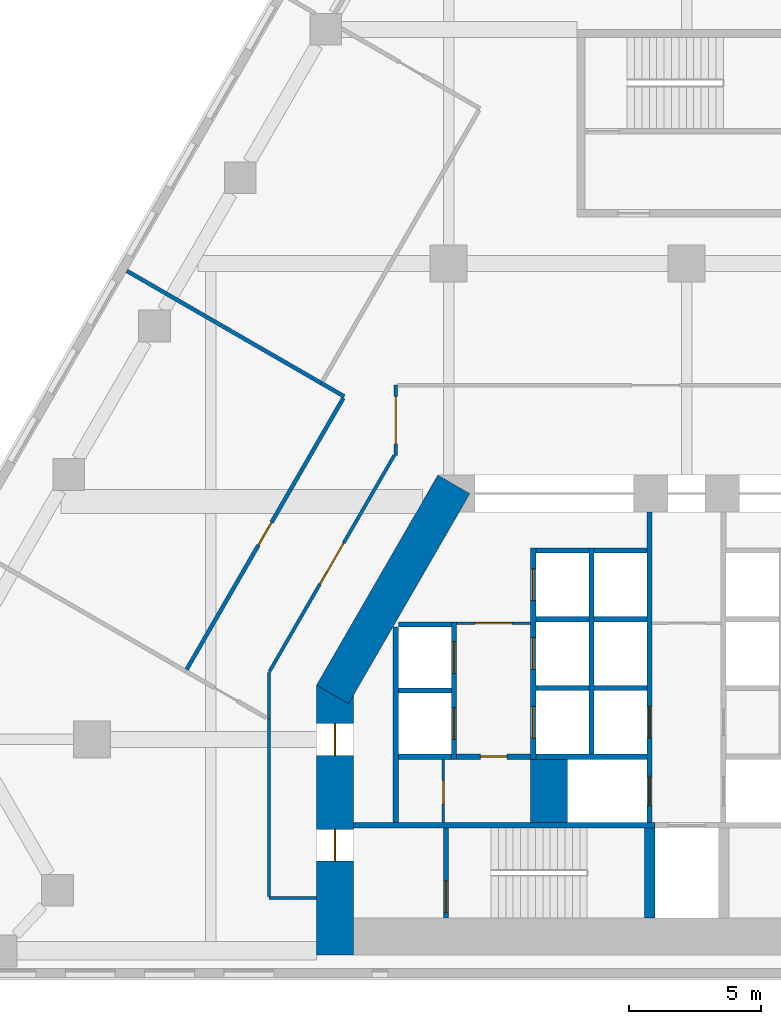
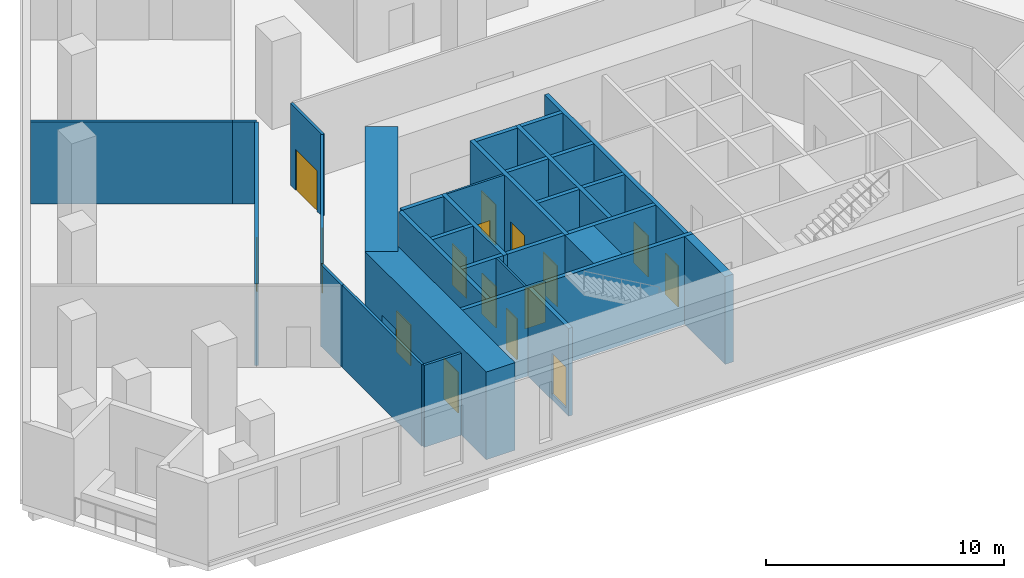
# One storey, part 4 of 14: 32 walls, 16 doors, 16 openings.
"""IFC4 building model written with IfcOpenShell, lengths in metres."""

from ifc_helpers import new_model, si_unit, direction, frame, frame_2d, origin, place, context, subcontext, project, spatial, rectangle, extrude, material, layer, layer_set, type_object, element, fill, save


model = new_model("IFC4")

# Units and contexts
model_context = context("Model", 3, precision=1e-05, world=origin(), true_north=direction((0.0, 1.0)))
body_context = subcontext(model_context, "Body", "Model", "MODEL_VIEW")
ifc_project = project(units=[si_unit("LENGTHUNIT", "METRE"), si_unit("AREAUNIT", "SQUARE_METRE"), si_unit("VOLUMEUNIT", "CUBIC_METRE"), si_unit("PLANEANGLEUNIT", "RADIAN"), si_unit("MASSUNIT", "GRAM", prefix="KILO")], contexts=[model_context])

# Site, building, storey
site_placement = place(None, origin())
site = spatial("IfcSite", under=ifc_project, at=site_placement, CompositionType="ELEMENT")
building_placement = place(site_placement, origin())
building = spatial("IfcBuilding", under=site, at=building_placement, Name="Fogline Exchange Tower", CompositionType="ELEMENT")
storey_placement = place(building_placement, frame((0.0, 0.0, 29.5)))
storey = spatial("IfcBuildingStorey", under=building, at=storey_placement, Name="L05", CompositionType="ELEMENT", Elevation=29.5)

# Wall, opening, door
ifc_material_1 = material(Name="Blockwork partition", Category="masonry")
ifc_layer_1 = layer(ifc_material_1, 0.10009765625)
ifc_layer_set_1 = layer_set([ifc_layer_1], Name="CW10")
wall_type_1 = type_object("IfcWallType", Name="CW10", PredefinedType="PARTITIONING", material=ifc_layer_set_1)
wall_1_placement = place(storey_placement, frame((-8.699951171875, 13.39990234375, 0.0), z_axis=(0.0, 0.0, 1.0), x_axis=(1.0, 0.0, 0.0)))
wall_1 = element("IfcWall", 1, at=wall_1_placement, inside=storey, type_object=wall_type_1, Name="Lift lobby partition", PredefinedType="PARTITIONING", context=body_context, shape_type="SweptSolid", body=[
    extrude(rectangle(XDim=2.800048828125, YDim=0.10009765625, at=frame_2d((1.39990234375, 0.0))), origin(), (0.0, 0.0, 1.0), 4.199951171875),
])
opening_1_placement = place(wall_1_placement, frame((0.699951171875, 0.0, 0.0)))
opening_1 = element("IfcOpeningElement", 2, at=opening_1_placement, cuts=wall_1, Name="Opening T01-C007", PredefinedType="OPENING", context=body_context, shape_type="SweptSolid", body=[
    extrude(rectangle(XDim=1.39990234375, YDim=2.10009765625, at=frame_2d((0.699951171875, 1.050048828125))), frame((0.0, 0.06005859375, 0.0), z_axis=(0.0, -1.0, 0.0), x_axis=(1.0, 0.0, 0.0)), (0.0, 0.0, 1.0), 0.1201171875),
])
ifc_material_2 = material(Name="Steel and timber fire door", Category="steel")
door_type_1 = type_object("IfcDoorType", Name="D-LB1", OperationType="DOUBLE_DOOR_SINGLE_SWING", PredefinedType="DOOR", material=ifc_material_2)
door_1_placement = place(opening_1_placement, frame((1.39990234375, 0.0, 0.0), z_axis=(0.0, 0.0, 1.0), x_axis=(-1.0, 0.0, 0.0)))
door_1 = element("IfcDoor", 3, at=door_1_placement, inside=storey, type_object=door_type_1, Name="Door to lift lobby", OperationType="DOUBLE_DOOR_SINGLE_SWING", OverallHeight=2.10009765625, OverallWidth=1.39990234375, PredefinedType="DOOR", context=body_context, shape_type="SweptSolid", body=[
    extrude(rectangle(XDim=1.39990234375, YDim=2.10009765625, at=frame_2d((0.699951171875, 1.050048828125))), frame((0.0, 0.02490234375, 0.0), z_axis=(0.0, -1.0, 0.0), x_axis=(1.0, 0.0, 0.0)), (0.0, 0.0, 1.0), 0.050048828125),
])
fill(opening_1, door_1)

wall_2_placement = place(storey_placement, frame((-9.199951171875, 5.85009765625, 0.0), z_axis=(0.0, 0.0, 1.0), x_axis=(0.0, 1.0, 0.0)))
wall_2 = element("IfcWall", 4, at=wall_2_placement, inside=storey, type_object=wall_type_1, Name="WC partition", PredefinedType="PARTITIONING", context=body_context, shape_type="SweptSolid", body=[
    extrude(rectangle(XDim=2.39990234375, YDim=0.10009765625, at=frame_2d((1.199951171875, 0.0))), origin(), (0.0, 0.0, 1.0), 4.199951171875),
])
opening_2_placement = place(wall_2_placement, frame((0.699951171875, 0.0, 0.0)))
opening_2 = element("IfcOpeningElement", 5, at=opening_2_placement, cuts=wall_2, Name="Opening T01-C009", PredefinedType="OPENING", context=body_context, shape_type="SweptSolid", body=[
    extrude(rectangle(XDim=0.89990234375, YDim=2.10009765625, at=frame_2d((0.449951171875, 1.050048828125))), frame((0.0, 0.06005859375, 0.0), z_axis=(0.0, -1.0, 0.0), x_axis=(1.0, 0.0, 0.0)), (0.0, 0.0, 1.0), 0.1201171875),
])
door_type_2 = type_object("IfcDoorType", Name="D-CS1", OperationType="SINGLE_SWING_RIGHT", PredefinedType="DOOR", material=ifc_material_2)
door_2_placement = place(opening_2_placement, origin())
door_2 = element("IfcDoor", 6, at=door_2_placement, inside=storey, type_object=door_type_2, Name="Door to Cleaner's Store", OperationType="SINGLE_SWING_LEFT", OverallHeight=2.10009765625, OverallWidth=0.89990234375, PredefinedType="DOOR", context=body_context, shape_type="SweptSolid", body=[
    extrude(rectangle(XDim=0.89990234375, YDim=2.10009765625, at=frame_2d((0.449951171875, 1.050048828125))), frame((0.0, 0.02490234375, 0.0), z_axis=(0.0, -1.0, 0.0), x_axis=(1.0, 0.0, 0.0)), (0.0, 0.0, 1.0), 0.050048828125),
])
fill(opening_2, door_2)

# Walls
ifc_material_3 = material(Name="Concrete C60", Category="concrete")
ifc_layer_2 = layer(ifc_material_3, 1.39990234375)
ifc_layer_set_2 = layer_set([ifc_layer_2], Name="CW140")
wall_type_2 = type_object("IfcWallType", Name="CW140", PredefinedType="SOLIDWALL", material=ifc_layer_set_2)
wall_3_placement = place(storey_placement, frame((-5.199951171875, 5.85009765625, -0.300048828125), z_axis=(0.0, 0.0, 1.0), x_axis=(0.0, 1.0, 0.0)))
element("IfcWall", 7, at=wall_3_placement, inside=storey, type_object=wall_type_2, Name="Lift shaft block wall", PredefinedType="SOLIDWALL", context=body_context, shape_type="SweptSolid", body=[
    extrude(rectangle(XDim=2.39990234375, YDim=1.39990234375, at=frame_2d((1.199951171875, 0.0))), origin(), (0.0, 0.0, 1.0), 4.5),
])
ifc_material_4 = material(Name="Concrete C40", Category="concrete")
ifc_layer_3 = layer(ifc_material_4, 0.199951171875)
ifc_layer_set_3 = layer_set([ifc_layer_3], Name="CW20")
wall_type_3 = type_object("IfcWallType", Name="CW20", PredefinedType="SOLIDWALL", material=ifc_layer_set_3)
wall_4_placement = place(storey_placement, frame((-11.0, 5.85009765625, 0.0), z_axis=(0.0, 0.0, 1.0), x_axis=(0.0, 1.0, 0.0)))
element("IfcWall", 8, at=wall_4_placement, inside=storey, type_object=wall_type_3, Name="Service room wall", PredefinedType="SOLIDWALL", context=body_context, shape_type="SweptSolid", body=[
    extrude(rectangle(XDim=7.39990234375, YDim=0.199951171875, at=frame_2d((3.699951171875, 0.0))), origin(), (0.0, 0.0, 1.0), 4.199951171875),
])

# Wall, opening, door
wall_5_placement = place(storey_placement, frame((-8.699951171875, 8.35009765625, 0.0), z_axis=(0.0, 0.0, 1.0), x_axis=(1.0, 0.0, 0.0)))
wall_5 = element("IfcWall", 9, at=wall_5_placement, inside=storey, type_object=wall_type_3, Name="WC wall", PredefinedType="SOLIDWALL", context=body_context, shape_type="SweptSolid", body=[
    extrude(rectangle(XDim=2.800048828125, YDim=0.199951171875, at=frame_2d((1.39990234375, 0.0))), origin(), (0.0, 0.0, 1.0), 4.199951171875),
])
opening_3_placement = place(wall_5_placement, frame((0.89990234375, 0.0, 0.0)))
opening_3 = element("IfcOpeningElement", 10, at=opening_3_placement, cuts=wall_5, Name="Opening T01-C008", PredefinedType="OPENING", context=body_context, shape_type="SweptSolid", body=[
    extrude(rectangle(XDim=1.0, YDim=2.10009765625, at=frame_2d((0.5, 1.050048828125))), frame((0.0, 0.10986328125, 0.0), z_axis=(0.0, -1.0, 0.0), x_axis=(1.0, 0.0, 0.0)), (0.0, 0.0, 1.0), 0.219970703125),
])
door_type_3 = type_object("IfcDoorType", Name="D-WC1", OperationType="SINGLE_SWING_LEFT", PredefinedType="DOOR", material=ifc_material_2)
door_3_placement = place(opening_3_placement, frame((1.0, 0.0, 0.0), z_axis=(0.0, 0.0, 1.0), x_axis=(-1.0, 0.0, 0.0)))
door_3 = element("IfcDoor", 11, at=door_3_placement, inside=storey, type_object=door_type_3, Name="Door to Men's WC", OperationType="SINGLE_SWING_LEFT", OverallHeight=2.10009765625, OverallWidth=1.0, PredefinedType="DOOR", context=body_context, shape_type="SweptSolid", body=[
    extrude(rectangle(XDim=1.0, YDim=2.10009765625, at=frame_2d((0.5, 1.050048828125))), frame((0.0, 0.02490234375, 0.0), z_axis=(0.0, -1.0, 0.0), x_axis=(1.0, 0.0, 0.0)), (0.0, 0.0, 1.0), 0.050048828125),
])
fill(opening_3, door_3)

# Wall
ifc_layer_4 = layer(ifc_material_4, 0.199951171875)
ifc_layer_set_4 = layer_set([ifc_layer_4], Name="CW20R")
wall_type_4 = type_object("IfcWallType", Name="CW20R", PredefinedType="SOLIDWALL", material=ifc_layer_set_4)
wall_6_placement = place(storey_placement, frame((-12.60009765625, 5.75, -0.300048828125), z_axis=(0.0, 0.0, 1.0), x_axis=(1.0, 0.0, 0.0)))
element("IfcWall", 12, at=wall_6_placement, inside=storey, type_object=wall_type_4, Name="Stair enclosure wall", PredefinedType="SOLIDWALL", context=body_context, shape_type="SweptSolid", body=[
    extrude(rectangle(XDim=11.400146484375, YDim=0.199951171875, at=frame_2d((5.7001953125, 0.0))), origin(), (0.0, 0.0, 1.0), 4.5),
])

# Wall, opening, door
wall_7_placement = place(storey_placement, frame((-9.10009765625, 2.25, -0.300048828125), z_axis=(0.0, 0.0, 1.0), x_axis=(0.0, 1.0, 0.0)))
wall_7 = element("IfcWall", 13, at=wall_7_placement, inside=storey, type_object=wall_type_4, Name="Stair enclosure wall", PredefinedType="SOLIDWALL", context=body_context, shape_type="SweptSolid", body=[
    extrude(rectangle(XDim=3.39990234375, YDim=0.199951171875, at=frame_2d((1.699951171875, 0.0))), origin(), (0.0, 0.0, 1.0), 4.5),
])
opening_4_placement = place(wall_7_placement, frame((0.199951171875, 0.0, 0.300048828125)))
opening_4 = element("IfcOpeningElement", 14, at=opening_4_placement, cuts=wall_7, Name="Opening T01-C011", PredefinedType="OPENING", context=body_context, shape_type="SweptSolid", body=[
    extrude(rectangle(XDim=1.199951171875, YDim=2.10009765625, at=frame_2d((0.60009765625, 1.050048828125))), frame((0.0, 0.10986328125, 0.0), z_axis=(0.0, -1.0, 0.0), x_axis=(1.0, 0.0, 0.0)), (0.0, 0.0, 1.0), 0.219970703125),
])
door_type_4 = type_object("IfcDoorType", Name="D-ST1", OperationType="SINGLE_SWING_LEFT", PredefinedType="DOOR", material=ifc_material_2)
door_4_placement = place(opening_4_placement, frame((1.199951171875, 0.0, 0.0), z_axis=(0.0, 0.0, 1.0), x_axis=(-1.0, 0.0, 0.0)))
door_4 = element("IfcDoor", 15, at=door_4_placement, inside=storey, type_object=door_type_4, Name="Stair door ST1", OperationType="SINGLE_SWING_RIGHT", OverallHeight=2.10009765625, OverallWidth=1.199951171875, PredefinedType="DOOR", context=body_context, shape_type="SweptSolid", body=[
    extrude(rectangle(XDim=1.199951171875, YDim=2.10009765625, at=frame_2d((0.60009765625, 1.050048828125))), frame((0.0, 0.02490234375, 0.0), z_axis=(0.0, -1.0, 0.0), x_axis=(1.0, 0.0, 0.0)), (0.0, 0.0, 1.0), 0.050048828125),
])
fill(opening_4, door_4)

# Wall, openings, doors
ifc_layer_5 = layer(ifc_material_4, 0.199951171875)
ifc_layer_set_5 = layer_set([ifc_layer_5], Name="CW20S")
wall_type_5 = type_object("IfcWallType", Name="CW20S", PredefinedType="SOLIDWALL", material=ifc_layer_set_5)
wall_8_placement = place(storey_placement, frame((-8.800048828125, 8.25, -0.300048828125), z_axis=(0.0, 0.0, 1.0), x_axis=(0.0, 1.0, 0.0)))
wall_8 = element("IfcWall", 16, at=wall_8_placement, inside=storey, type_object=wall_type_5, Name="Lift shaft wall", PredefinedType="SOLIDWALL", context=body_context, shape_type="SweptSolid", body=[
    extrude(rectangle(XDim=5.199951171875, YDim=0.199951171875, at=frame_2d((2.60009765625, 0.0))), origin(), (0.0, 0.0, 1.0), 4.5),
])
opening_5_placement = place(wall_8_placement, frame((0.75, 0.0, 0.300048828125)))
opening_5 = element("IfcOpeningElement", 17, at=opening_5_placement, cuts=wall_8, Name="Opening T01-LD01", PredefinedType="OPENING", context=body_context, shape_type="SweptSolid", body=[
    extrude(rectangle(XDim=1.199951171875, YDim=2.10009765625, at=frame_2d((0.60009765625, 1.050048828125))), frame((0.0, 0.10986328125, 0.0), z_axis=(0.0, -1.0, 0.0), x_axis=(1.0, 0.0, 0.0)), (0.0, 0.0, 1.0), 0.219970703125),
])
opening_6_placement = place(wall_8_placement, frame((3.25, 0.0, 0.300048828125)))
opening_6 = element("IfcOpeningElement", 18, at=opening_6_placement, cuts=wall_8, Name="Opening T01-LD02", PredefinedType="OPENING", context=body_context, shape_type="SweptSolid", body=[
    extrude(rectangle(XDim=1.199951171875, YDim=2.10009765625, at=frame_2d((0.60009765625, 1.050048828125))), frame((0.0, 0.10986328125, 0.0), z_axis=(0.0, -1.0, 0.0), x_axis=(1.0, 0.0, 0.0)), (0.0, 0.0, 1.0), 0.219970703125),
])
door_type_5 = type_object("IfcDoorType", Name="LD1", OperationType="SLIDING_TO_LEFT", PredefinedType="DOOR", material=ifc_material_2)
door_5_placement = place(opening_5_placement, origin())
door_5 = element("IfcDoor", 19, at=door_5_placement, inside=storey, type_object=door_type_5, Name="Landing door LR1", OperationType="SLIDING_TO_LEFT", OverallHeight=2.10009765625, OverallWidth=1.199951171875, PredefinedType="DOOR", context=body_context, shape_type="SweptSolid", body=[
    extrude(rectangle(XDim=1.199951171875, YDim=2.10009765625, at=frame_2d((0.60009765625, 1.050048828125))), frame((0.0, 0.02490234375, 0.0), z_axis=(0.0, -1.0, 0.0), x_axis=(1.0, 0.0, 0.0)), (0.0, 0.0, 1.0), 0.050048828125),
])
fill(opening_5, door_5)
door_6_placement = place(opening_6_placement, origin())
door_6 = element("IfcDoor", 20, at=door_6_placement, inside=storey, type_object=door_type_5, Name="Landing door LR2", OperationType="SLIDING_TO_LEFT", OverallHeight=2.10009765625, OverallWidth=1.199951171875, PredefinedType="DOOR", context=body_context, shape_type="SweptSolid", body=[
    extrude(rectangle(XDim=1.199951171875, YDim=2.10009765625, at=frame_2d((0.60009765625, 1.050048828125))), frame((0.0, 0.02490234375, 0.0), z_axis=(0.0, -1.0, 0.0), x_axis=(1.0, 0.0, 0.0)), (0.0, 0.0, 1.0), 0.050048828125),
])
fill(opening_6, door_6)

wall_9_placement = place(storey_placement, frame((-5.800048828125, 8.25, -0.300048828125), z_axis=(0.0, 0.0, 1.0), x_axis=(0.0, 1.0, 0.0)))
wall_9 = element("IfcWall", 21, at=wall_9_placement, inside=storey, type_object=wall_type_5, Name="Lift shaft wall", PredefinedType="SOLIDWALL", context=body_context, shape_type="SweptSolid", body=[
    extrude(rectangle(XDim=8.0, YDim=0.199951171875, at=frame_2d((4.0, 0.0))), origin(), (0.0, 0.0, 1.0), 4.5),
])
opening_7_placement = place(wall_9_placement, frame((0.800048828125, 0.0, 0.300048828125)))
opening_7 = element("IfcOpeningElement", 22, at=opening_7_placement, cuts=wall_9, Name="Opening T01-LD03", PredefinedType="OPENING", context=body_context, shape_type="SweptSolid", body=[
    extrude(rectangle(XDim=1.199951171875, YDim=2.10009765625, at=frame_2d((0.60009765625, 1.050048828125))), frame((0.0, 0.10986328125, 0.0), z_axis=(0.0, -1.0, 0.0), x_axis=(1.0, 0.0, 0.0)), (0.0, 0.0, 1.0), 0.219970703125),
])
opening_8_placement = place(wall_9_placement, frame((3.39990234375, 0.0, 0.300048828125)))
opening_8 = element("IfcOpeningElement", 23, at=opening_8_placement, cuts=wall_9, Name="Opening T01-LD04", PredefinedType="OPENING", context=body_context, shape_type="SweptSolid", body=[
    extrude(rectangle(XDim=1.199951171875, YDim=2.10009765625, at=frame_2d((0.60009765625, 1.050048828125))), frame((0.0, 0.10986328125, 0.0), z_axis=(0.0, -1.0, 0.0), x_axis=(1.0, 0.0, 0.0)), (0.0, 0.0, 1.0), 0.219970703125),
])
opening_9_placement = place(wall_9_placement, frame((6.0, 0.0, 0.300048828125)))
opening_9 = element("IfcOpeningElement", 24, at=opening_9_placement, cuts=wall_9, Name="Opening T01-LD05", PredefinedType="OPENING", context=body_context, shape_type="SweptSolid", body=[
    extrude(rectangle(XDim=1.199951171875, YDim=2.10009765625, at=frame_2d((0.60009765625, 1.050048828125))), frame((0.0, 0.10986328125, 0.0), z_axis=(0.0, -1.0, 0.0), x_axis=(1.0, 0.0, 0.0)), (0.0, 0.0, 1.0), 0.219970703125),
])
door_7_placement = place(opening_7_placement, origin())
door_7 = element("IfcDoor", 25, at=door_7_placement, inside=storey, type_object=door_type_5, Name="Landing door LR3", OperationType="SLIDING_TO_LEFT", OverallHeight=2.10009765625, OverallWidth=1.199951171875, PredefinedType="DOOR", context=body_context, shape_type="SweptSolid", body=[
    extrude(rectangle(XDim=1.199951171875, YDim=2.10009765625, at=frame_2d((0.60009765625, 1.050048828125))), frame((0.0, 0.02490234375, 0.0), z_axis=(0.0, -1.0, 0.0), x_axis=(1.0, 0.0, 0.0)), (0.0, 0.0, 1.0), 0.050048828125),
])
fill(opening_7, door_7)
door_8_placement = place(opening_8_placement, origin())
door_8 = element("IfcDoor", 26, at=door_8_placement, inside=storey, type_object=door_type_5, Name="Landing door LR4", OperationType="SLIDING_TO_LEFT", OverallHeight=2.10009765625, OverallWidth=1.199951171875, PredefinedType="DOOR", context=body_context, shape_type="SweptSolid", body=[
    extrude(rectangle(XDim=1.199951171875, YDim=2.10009765625, at=frame_2d((0.60009765625, 1.050048828125))), frame((0.0, 0.02490234375, 0.0), z_axis=(0.0, -1.0, 0.0), x_axis=(1.0, 0.0, 0.0)), (0.0, 0.0, 1.0), 0.050048828125),
])
fill(opening_8, door_8)
door_9_placement = place(opening_9_placement, origin())
door_9 = element("IfcDoor", 27, at=door_9_placement, inside=storey, type_object=door_type_5, Name="Landing door LR5", OperationType="SLIDING_TO_LEFT", OverallHeight=2.10009765625, OverallWidth=1.199951171875, PredefinedType="DOOR", context=body_context, shape_type="SweptSolid", body=[
    extrude(rectangle(XDim=1.199951171875, YDim=2.10009765625, at=frame_2d((0.60009765625, 1.050048828125))), frame((0.0, 0.02490234375, 0.0), z_axis=(0.0, -1.0, 0.0), x_axis=(1.0, 0.0, 0.0)), (0.0, 0.0, 1.0), 0.050048828125),
])
fill(opening_9, door_9)

# Wall
wall_10_placement = place(storey_placement, frame((-3.60009765625, 8.449951171875, -0.300048828125), z_axis=(0.0, 0.0, 1.0), x_axis=(0.0, 1.0, 0.0)))
element("IfcWall", 28, at=wall_10_placement, inside=storey, type_object=wall_type_5, Name="Lift shaft wall", PredefinedType="SOLIDWALL", context=body_context, shape_type="SweptSolid", body=[
    extrude(rectangle(XDim=7.800048828125, YDim=0.199951171875, at=frame_2d((3.89990234375, 0.0))), origin(), (0.0, 0.0, 1.0), 4.5),
])

# Wall, openings, doors
wall_11_placement = place(storey_placement, frame((-1.39990234375, 5.85009765625, -0.300048828125), z_axis=(0.0, 0.0, 1.0), x_axis=(0.0, 1.0, 0.0)))
wall_11 = element("IfcWall", 29, at=wall_11_placement, inside=storey, type_object=wall_type_5, Name="Lift lobby wall", PredefinedType="SOLIDWALL", context=body_context, shape_type="SweptSolid", body=[
    extrude(rectangle(XDim=11.75, YDim=0.199951171875, at=frame_2d((5.875, 0.0))), origin(), (0.0, 0.0, 1.0), 4.5),
])
opening_10_placement = place(wall_11_placement, frame((3.199951171875, 0.0, 0.300048828125)))
opening_10 = element("IfcOpeningElement", 30, at=opening_10_placement, cuts=wall_11, Name="Opening T01-LD06", PredefinedType="OPENING", context=body_context, shape_type="SweptSolid", body=[
    extrude(rectangle(XDim=1.199951171875, YDim=2.10009765625, at=frame_2d((0.60009765625, 1.050048828125))), frame((0.0, 0.10986328125, 0.0), z_axis=(0.0, -1.0, 0.0), x_axis=(1.0, 0.0, 0.0)), (0.0, 0.0, 1.0), 0.219970703125),
])
opening_11_placement = place(wall_11_placement, frame((0.64990234375, 0.0, 0.300048828125)))
opening_11 = element("IfcOpeningElement", 31, at=opening_11_placement, cuts=wall_11, Name="Opening T01-LD07", PredefinedType="OPENING", context=body_context, shape_type="SweptSolid", body=[
    extrude(rectangle(XDim=1.10009765625, YDim=2.10009765625, at=frame_2d((0.550048828125, 1.050048828125))), frame((0.0, 0.10986328125, 0.0), z_axis=(0.0, -1.0, 0.0), x_axis=(1.0, 0.0, 0.0)), (0.0, 0.0, 1.0), 0.219970703125),
])
door_10_placement = place(opening_10_placement, origin())
door_10 = element("IfcDoor", 32, at=door_10_placement, inside=storey, type_object=door_type_5, Name="Landing door LR6", OperationType="SLIDING_TO_LEFT", OverallHeight=2.10009765625, OverallWidth=1.199951171875, PredefinedType="DOOR", context=body_context, shape_type="SweptSolid", body=[
    extrude(rectangle(XDim=1.199951171875, YDim=2.10009765625, at=frame_2d((0.60009765625, 1.050048828125))), frame((0.0, 0.02490234375, 0.0), z_axis=(0.0, -1.0, 0.0), x_axis=(1.0, 0.0, 0.0)), (0.0, 0.0, 1.0), 0.050048828125),
])
fill(opening_10, door_10)
door_type_6 = type_object("IfcDoorType", Name="LD2", OperationType="SLIDING_TO_RIGHT", PredefinedType="DOOR", material=ifc_material_2)
door_11_placement = place(opening_11_placement, origin())
door_11 = element("IfcDoor", 33, at=door_11_placement, inside=storey, type_object=door_type_6, Name="Landing door FF1", OperationType="SLIDING_TO_RIGHT", OverallHeight=2.10009765625, OverallWidth=1.10009765625, PredefinedType="DOOR", context=body_context, shape_type="SweptSolid", body=[
    extrude(rectangle(XDim=1.10009765625, YDim=2.10009765625, at=frame_2d((0.550048828125, 1.050048828125))), frame((0.0, 0.02490234375, 0.0), z_axis=(0.0, -1.0, 0.0), x_axis=(1.0, 0.0, 0.0)), (0.0, 0.0, 1.0), 0.050048828125),
])
fill(opening_11, door_11)

# Walls
wall_12_placement = place(storey_placement, frame((-10.89990234375, 8.35009765625, -0.300048828125), z_axis=(0.0, 0.0, 1.0), x_axis=(1.0, 0.0, 0.0)))
element("IfcWall", 34, at=wall_12_placement, inside=storey, type_object=wall_type_5, Name="Lift shaft wall", PredefinedType="SOLIDWALL", context=body_context, shape_type="SweptSolid", body=[
    extrude(rectangle(XDim=2.0, YDim=0.199951171875, at=frame_2d((1.0, 0.0))), origin(), (0.0, 0.0, 1.0), 4.5),
])
wall_13_placement = place(storey_placement, frame((-5.699951171875, 8.35009765625, -0.300048828125), z_axis=(0.0, 0.0, 1.0), x_axis=(1.0, 0.0, 0.0)))
element("IfcWall", 35, at=wall_13_placement, inside=storey, type_object=wall_type_5, Name="Lift shaft wall", PredefinedType="SOLIDWALL", context=body_context, shape_type="SweptSolid", body=[
    extrude(rectangle(XDim=4.199951171875, YDim=0.199951171875, at=frame_2d((2.10009765625, 0.0))), origin(), (0.0, 0.0, 1.0), 4.5),
])
for number, where, z_axis, x_axis, name in (
    (36, (-10.89990234375, 10.85009765625, -0.300048828125), (0.0, 0.0, 1.0), (1.0, 0.0, 0.0), "Lift shaft wall"),
    (37, (-10.89990234375, 13.35009765625, -0.300048828125), (0.0, 0.0, 1.0), (1.0, 0.0, 0.0), "Lift shaft wall"),
    (38, (-5.699951171875, 10.949951171875, -0.300048828125), (0.0, 0.0, 1.0), (1.0, 0.0, 0.0), "Lift shaft wall"),
    (39, (-5.699951171875, 13.550048828125, -0.300048828125), (0.0, 0.0, 1.0), (1.0, 0.0, 0.0), "Lift shaft wall"),
    (40, (-5.699951171875, 16.14990234375, -0.300048828125), (0.0, 0.0, 1.0), (1.0, 0.0, 0.0), "Lift shaft wall"),
    (41, (-3.5, 10.949951171875, -0.300048828125), (0.0, 0.0, 1.0), (1.0, 0.0, 0.0), "Lift shaft wall"),
    (42, (-3.5, 13.550048828125, -0.300048828125), (0.0, 0.0, 1.0), (1.0, 0.0, 0.0), "Lift shaft wall"),
    (43, (-3.5, 16.14990234375, -0.300048828125), (0.0, 0.0, 1.0), (1.0, 0.0, 0.0), "Lift shaft wall"),
):
    element("IfcWall", number, at=place(storey_placement, frame(where, z_axis=z_axis, x_axis=x_axis)), inside=storey, type_object=wall_type_5, Name=name, PredefinedType="SOLIDWALL", context=body_context, shape_type="SweptSolid", body=[
        extrude(rectangle(XDim=2.0, YDim=0.199951171875, at=frame_2d((1.0, 0.0))), origin(), (0.0, 0.0, 1.0), 4.5),
    ])
ifc_layer_6 = layer(ifc_material_4, 0.39990234375)
ifc_layer_set_6 = layer_set([ifc_layer_6], Name="CW40R")
wall_type_6 = type_object("IfcWallType", Name="CW40R", PredefinedType="SOLIDWALL", material=ifc_layer_set_6)
wall_14_placement = place(storey_placement, frame((-1.39990234375, 2.25, -0.300048828125), z_axis=(0.0, 0.0, 1.0), x_axis=(0.0, 1.0, 0.0)))
element("IfcWall", 44, at=wall_14_placement, inside=storey, type_object=wall_type_6, Name="Stair and lift shaft wall", PredefinedType="SOLIDWALL", context=body_context, shape_type="SweptSolid", body=[
    extrude(rectangle(XDim=3.39990234375, YDim=0.39990234375, at=frame_2d((1.699951171875, 0.0))), origin(), (0.0, 0.0, 1.0), 4.5),
])

# Wall, opening, door
ifc_material_5 = material(Name="Plasterboard corridor partition with mineral wool, 2 layers each side")
ifc_layer_7 = layer(ifc_material_5, 0.125)
ifc_layer_set_7 = layer_set([ifc_layer_7], Name="PW2")
wall_type_7 = type_object("IfcWallType", Name="PW2", PredefinedType="PARTITIONING", material=ifc_layer_set_7)
wall_15_placement = place(storey_placement, frame((-11.0, 19.739990234375, 0.0), z_axis=(0.0, 0.0, 1.0), x_axis=(0.0, 1.0, 0.0)))
wall_15 = element("IfcWall", 45, at=wall_15_placement, inside=storey, type_object=wall_type_7, Name="wall-L05-W005", PredefinedType="PARTITIONING", context=body_context, shape_type="SweptSolid", body=[
    extrude(rectangle(XDim=2.659912109375, YDim=0.125, at=frame_2d((1.330078125, 0.0))), origin(), (0.0, 0.0, 1.0), 4.199951171875),
])
opening_12_placement = place(wall_15_placement, frame((0.429931640625, 0.0, 0.0)))
opening_12 = element("IfcOpeningElement", 46, at=opening_12_placement, cuts=wall_15, Name="Opening T01-D002", PredefinedType="OPENING", context=body_context, shape_type="SweptSolid", body=[
    extrude(rectangle(XDim=1.800048828125, YDim=2.10009765625, at=frame_2d((0.89990234375, 1.050048828125))), frame((0.0, 0.072509765625, 0.0), z_axis=(0.0, -1.0, 0.0), x_axis=(1.0, 0.0, 0.0)), (0.0, 0.0, 1.0), 0.14501953125),
])
ifc_material_6 = material(Name="Fire-rated timber door leaves with steel frame", Category="steel")
door_type_7 = type_object("IfcDoorType", Name="D4", OperationType="DOUBLE_DOOR_SINGLE_SWING", PredefinedType="DOOR", material=ifc_material_6)
door_12_placement = place(opening_12_placement, frame((1.800048828125, 0.0, 0.0), z_axis=(0.0, 0.0, 1.0), x_axis=(-1.0, 0.0, 0.0)))
door_12 = element("IfcDoor", 47, at=door_12_placement, inside=storey, type_object=door_type_7, Name="door-L05-D002", OperationType="DOUBLE_DOOR_SINGLE_SWING", OverallHeight=2.10009765625, OverallWidth=1.800048828125, PredefinedType="DOOR", context=body_context, shape_type="SweptSolid", body=[
    extrude(rectangle(XDim=1.800048828125, YDim=2.10009765625, at=frame_2d((0.89990234375, 1.050048828125))), frame((0.0, 0.02490234375, 0.0), z_axis=(0.0, -1.0, 0.0), x_axis=(1.0, 0.0, 0.0)), (0.0, 0.0, 1.0), 0.050048828125),
])
fill(opening_12, door_12)

# Wall
wall_16_placement = place(storey_placement, frame((-15.800048828125, 9.765869140625, 0.0), z_axis=(0.0, 0.0, 1.0), x_axis=(0.0, 1.0, 0.0)))
element("IfcWall", 48, at=wall_16_placement, inside=storey, type_object=wall_type_7, Name="wall-L05-W009", PredefinedType="PARTITIONING", context=body_context, shape_type="SweptSolid", body=[
    extrude(rectangle(XDim=1.76904296875, YDim=0.125, at=frame_2d((0.884521484375, 0.0))), origin(), (0.0, 0.0, 1.0), 4.199951171875),
])

# Wall, opening, door
wall_17_placement = place(storey_placement, frame((-15.784423828125, 11.56201171875, 0.0), z_axis=(0.0, 0.0, 1.0), x_axis=(0.500006656899, 0.866021560388, 0.0)))
wall_17 = element("IfcWall", 49, at=wall_17_placement, inside=storey, type_object=wall_type_7, Name="wall-L05-W010", PredefinedType="PARTITIONING", context=body_context, shape_type="SweptSolid", body=[
    extrude(rectangle(XDim=9.443603515625, YDim=0.125, at=frame_2d((4.7216796875, 0.0))), origin(), (0.0, 0.0, 1.0), 4.199951171875),
])
opening_13_placement = place(wall_17_placement, frame((3.822021484375, 0.0, 0.0)))
opening_13 = element("IfcOpeningElement", 50, at=opening_13_placement, cuts=wall_17, Name="Opening T01-D005", PredefinedType="OPENING", context=body_context, shape_type="SweptSolid", body=[
    extrude(rectangle(XDim=1.800048828125, YDim=2.10009765625, at=frame_2d((0.89990234375, 1.050048828125))), frame((0.0, 0.072509765625, 0.0), z_axis=(0.0, -1.0, 0.0), x_axis=(1.0, 0.0, 0.0)), (0.0, 0.0, 1.0), 0.14501953125),
])
door_13_placement = place(opening_13_placement, frame((1.800048828125, 0.0, 0.0), z_axis=(0.0, 0.0, 1.0), x_axis=(-1.0, 0.0, 0.0)))
door_13 = element("IfcDoor", 51, at=door_13_placement, inside=storey, type_object=door_type_7, Name="door-L05-D005", OperationType="DOUBLE_DOOR_SINGLE_SWING", OverallHeight=2.10009765625, OverallWidth=1.800048828125, PredefinedType="DOOR", context=body_context, shape_type="SweptSolid", body=[
    extrude(rectangle(XDim=1.800048828125, YDim=2.10009765625, at=frame_2d((0.89990234375, 1.050048828125))), frame((0.0, 0.02490234375, 0.0), z_axis=(0.0, -1.0, 0.0), x_axis=(1.0, 0.0, 0.0)), (0.0, 0.0, 1.0), 0.050048828125),
])
fill(opening_13, door_13)

# Walls
wall_18_placement = place(storey_placement, frame((-14.0, 3.0, 0.0), z_axis=(0.0, 0.0, 1.0), x_axis=(-1.0, 0.0, 0.0)))
element("IfcWall", 52, at=wall_18_placement, inside=storey, type_object=wall_type_7, Name="wall-L05-W011", PredefinedType="PARTITIONING", context=body_context, shape_type="SweptSolid", body=[
    extrude(rectangle(XDim=1.800048828125, YDim=0.125, at=frame_2d((0.89990234375, 0.0))), origin(), (0.0, 0.0, 1.0), 4.199951171875),
])
wall_19_placement = place(storey_placement, frame((-15.800048828125, 3.0625, 0.0), z_axis=(0.0, 0.0, 1.0), x_axis=(0.0, 1.0, 0.0)))
element("IfcWall", 53, at=wall_19_placement, inside=storey, type_object=wall_type_7, Name="wall-L05-W012", PredefinedType="PARTITIONING", context=body_context, shape_type="SweptSolid", body=[
    extrude(rectangle(XDim=6.703369140625, YDim=0.125, at=frame_2d((3.3515625, 0.0))), origin(), (0.0, 0.0, 1.0), 4.199951171875),
])

# Wall, opening, door
ifc_material_7 = material(Name="Plasterboard demising partition with mineral wool and acoustic board")
ifc_layer_8 = layer(ifc_material_7, 0.14990234375)
ifc_layer_set_8 = layer_set([ifc_layer_8], Name="PW3")
wall_type_8 = type_object("IfcWallType", Name="PW3", PredefinedType="PARTITIONING", material=ifc_layer_set_8)
wall_20_placement = place(storey_placement, frame((-18.912109375, 11.6494140625, 0.0), z_axis=(0.0, 0.0, 1.0), x_axis=(0.500010179592, 0.866019526514, 0.0)))
wall_20 = element("IfcWall", 54, at=wall_20_placement, inside=storey, type_object=wall_type_8, Name="wall-L05-W033", PredefinedType="PARTITIONING", context=body_context, shape_type="SweptSolid", body=[
    extrude(rectangle(XDim=11.849853515625, YDim=0.14990234375, at=frame_2d((5.9248046875, 0.0))), origin(), (0.0, 0.0, 1.0), 4.199951171875),
])
opening_14_placement = place(wall_20_placement, frame((5.425048828125, 0.0, 0.0)))
opening_14 = element("IfcOpeningElement", 55, at=opening_14_placement, cuts=wall_20, Name="Opening T01-D012", PredefinedType="OPENING", context=body_context, shape_type="SweptSolid", body=[
    extrude(rectangle(XDim=1.0, YDim=2.10009765625, at=frame_2d((0.5, 1.050048828125))), frame((0.0, 0.0849609375, 0.0), z_axis=(0.0, -1.0, 0.0), x_axis=(1.0, 0.0, 0.0)), (0.0, 0.0, 1.0), 0.169921875),
])
ifc_material_8 = material(Name="Fire-rated timber door leaf with steel frame", Category="steel")
door_type_8 = type_object("IfcDoorType", Name="D3", OperationType="SINGLE_SWING_LEFT", PredefinedType="DOOR", material=ifc_material_8)
door_14_placement = place(opening_14_placement, origin())
door_14 = element("IfcDoor", 56, at=door_14_placement, inside=storey, type_object=door_type_8, Name="door-L05-D012", OperationType="SINGLE_SWING_LEFT", OverallHeight=2.10009765625, OverallWidth=1.0, PredefinedType="DOOR", context=body_context, shape_type="SweptSolid", body=[
    extrude(rectangle(XDim=1.0, YDim=2.10009765625, at=frame_2d((0.5, 1.050048828125))), frame((0.0, 0.02490234375, 0.0), z_axis=(0.0, -1.0, 0.0), x_axis=(1.0, 0.0, 0.0)), (0.0, 0.0, 1.0), 0.050048828125),
])
fill(opening_14, door_14)

# Walls
wall_21_placement = place(storey_placement, frame((-12.94970703125, 21.9765625, 0.0), z_axis=(0.0, 0.0, 1.0), x_axis=(-0.866010750942, 0.50002537861, 0.0)))
element("IfcWall", 57, at=wall_21_placement, inside=storey, type_object=wall_type_8, Name="wall-L05-W034", PredefinedType="PARTITIONING", context=body_context, shape_type="SweptSolid", body=[
    extrude(rectangle(XDim=1.0, YDim=0.14990234375, at=frame_2d((0.5, 0.0))), origin(), (0.0, 0.0, 1.0), 4.199951171875),
])
wall_22_placement = place(storey_placement, frame((-13.815673828125, 22.4765625, 0.0), z_axis=(0.0, 0.0, 1.0), x_axis=(-0.866021522889, 0.500006721848, 0.0)))
element("IfcWall", 58, at=wall_22_placement, inside=storey, type_object=wall_type_8, Name="wall-L05-W043", PredefinedType="PARTITIONING", context=body_context, shape_type="SweptSolid", body=[
    extrude(rectangle(XDim=8.5, YDim=0.14990234375, at=frame_2d((4.25, 0.0))), origin(), (0.0, 0.0, 1.0), 4.199951171875),
])
ifc_layer_9 = layer(ifc_material_3, 1.39990234375)
ifc_layer_set_9 = layer_set([ifc_layer_9], Name="SW01")
wall_type_9 = type_object("IfcWallType", Name="SW01", PredefinedType="SHEAR", material=ifc_layer_set_9)
wall_23_placement = place(storey_placement, frame((-8.805419921875, 18.64990234375, 0.0), z_axis=(0.0, 0.0, 1.0), x_axis=(-0.50000187635, -0.866024320471, 0.0)))
element("IfcWall", 59, at=wall_23_placement, inside=storey, type_object=wall_type_9, Name="L05-W905", PredefinedType="SHEAR", context=body_context, shape_type="SweptSolid", body=[
    extrude(rectangle(XDim=9.1767578125, YDim=1.39990234375, at=frame_2d((4.58837890625, 0.0))), origin(), (0.0, 0.0, 1.0), 4.5),
])

# Wall, openings, doors
wall_24_placement = place(storey_placement, frame((-13.300048828125, 11.052490234375, 0.0), z_axis=(0.0, 0.0, 1.0), x_axis=(0.0, -1.0, 0.0)))
wall_24 = element("IfcWall", 60, at=wall_24_placement, inside=storey, type_object=wall_type_9, Name="L05-W906", PredefinedType="SHEAR", context=body_context, shape_type="SweptSolid", body=[
    extrude(rectangle(XDim=10.202392578125, YDim=1.39990234375, at=frame_2d((5.10107421875, 0.0))), origin(), (0.0, 0.0, 1.0), 4.5),
])
opening_15_placement = place(wall_24_placement, frame((5.45263671875, 0.0, 0.0)))
opening_15 = element("IfcOpeningElement", 61, at=opening_15_placement, cuts=wall_24, Name="Opening T01-C010", PredefinedType="OPENING", context=body_context, shape_type="SweptSolid", body=[
    extrude(rectangle(XDim=1.199951171875, YDim=2.10009765625, at=frame_2d((0.60009765625, 1.050048828125))), frame((0.0, 0.7099609375, 0.0), z_axis=(0.0, -1.0, 0.0), x_axis=(1.0, 0.0, 0.0)), (0.0, 0.0, 1.0), 1.419921875),
])
opening_16_placement = place(wall_24_placement, frame((1.45263671875, 0.0, 0.0)))
opening_16 = element("IfcOpeningElement", 62, at=opening_16_placement, cuts=wall_24, Name="Opening T01-C012", PredefinedType="OPENING", context=body_context, shape_type="SweptSolid", body=[
    extrude(rectangle(XDim=1.199951171875, YDim=2.10009765625, at=frame_2d((0.60009765625, 1.050048828125))), frame((0.0, 0.7099609375, 0.0), z_axis=(0.0, -1.0, 0.0), x_axis=(1.0, 0.0, 0.0)), (0.0, 0.0, 1.0), 1.419921875),
])
door_type_9 = type_object("IfcDoorType", Name="D-FR1", OperationType="SINGLE_SWING_RIGHT", PredefinedType="DOOR", material=ifc_material_2)
door_15_placement = place(opening_15_placement, origin())
door_15 = element("IfcDoor", 63, at=door_15_placement, inside=storey, type_object=door_type_9, Name="Front room door ST1", OperationType="SINGLE_SWING_LEFT", OverallHeight=2.10009765625, OverallWidth=1.199951171875, PredefinedType="DOOR", context=body_context, shape_type="SweptSolid", body=[
    extrude(rectangle(XDim=1.199951171875, YDim=2.10009765625, at=frame_2d((0.60009765625, 1.050048828125))), frame((0.0, 0.02490234375, 0.0), z_axis=(0.0, -1.0, 0.0), x_axis=(1.0, 0.0, 0.0)), (0.0, 0.0, 1.0), 0.050048828125),
])
fill(opening_15, door_15)
door_type_10 = type_object("IfcDoorType", Name="D-SV1", OperationType="SINGLE_SWING_LEFT", PredefinedType="DOOR", material=ifc_material_2)
door_16_placement = place(opening_16_placement, origin())
door_16 = element("IfcDoor", 64, at=door_16_placement, inside=storey, type_object=door_type_10, Name="Service door W", OperationType="SINGLE_SWING_LEFT", OverallHeight=2.10009765625, OverallWidth=1.199951171875, PredefinedType="DOOR", context=body_context, shape_type="SweptSolid", body=[
    extrude(rectangle(XDim=1.199951171875, YDim=2.10009765625, at=frame_2d((0.60009765625, 1.050048828125))), frame((0.0, 0.02490234375, 0.0), z_axis=(0.0, -1.0, 0.0), x_axis=(1.0, 0.0, 0.0)), (0.0, 0.0, 1.0), 0.050048828125),
])
fill(opening_16, door_16)

save(model, "model.ifc")
